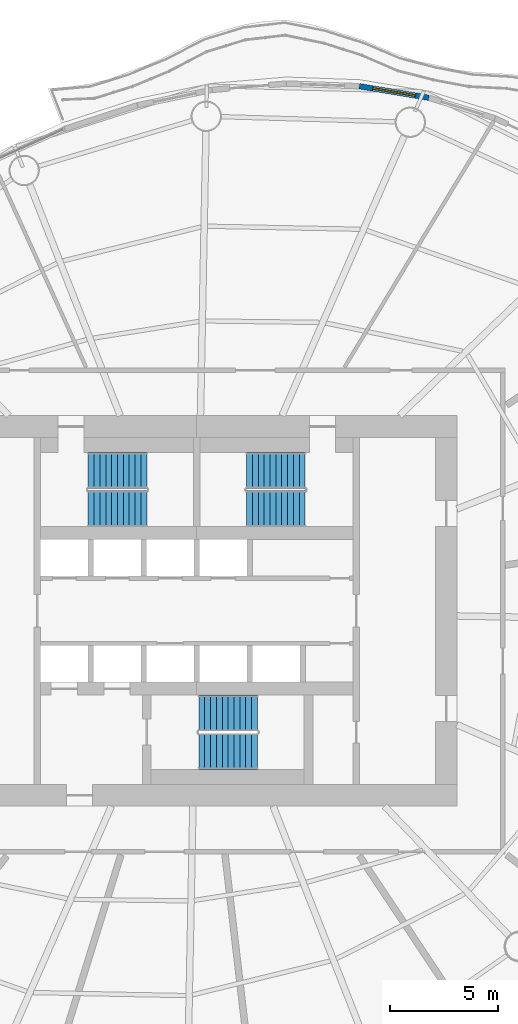
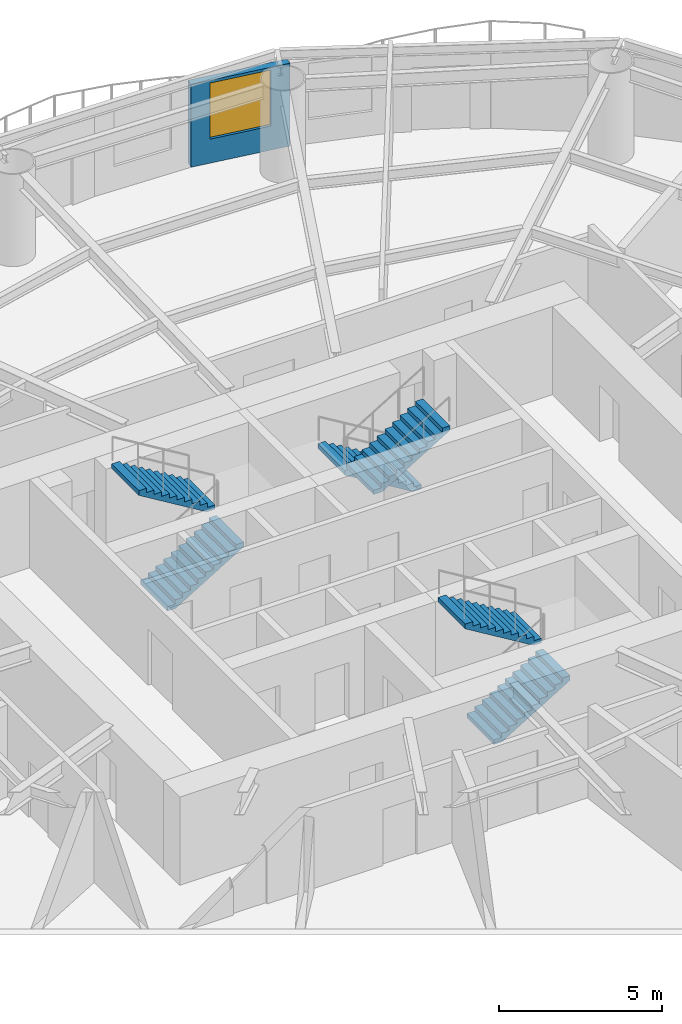
# One storey, part 11 of 15: 6 stair flights, 1 wall, 1 window, 1 opening, 3 elements without a shape of their own.
"""IFC4 building model written with IfcOpenShell, lengths in metres."""

from ifc_helpers import new_model, si_unit, direction, frame, frame_2d, origin, place, context, subcontext, project, spatial, polyline, rectangle, outline, extrude, material, layer, layer_set, type_object, element, fill, aggregate, save


model = new_model("IFC4")

# Units and contexts
model_context = context("Model", 3, precision=1e-05, world=origin(), true_north=direction((0.0, 1.0)))
body_context = subcontext(model_context, "Body", "Model", "MODEL_VIEW")
ifc_project = project(units=[si_unit("LENGTHUNIT", "METRE"), si_unit("AREAUNIT", "SQUARE_METRE"), si_unit("VOLUMEUNIT", "CUBIC_METRE"), si_unit("PLANEANGLEUNIT", "RADIAN"), si_unit("MASSUNIT", "GRAM", prefix="KILO")], contexts=[model_context])

# Site, building, storey
site_placement = place(None, origin())
site = spatial("IfcSite", under=ifc_project, at=site_placement, CompositionType="ELEMENT")
building_placement = place(site_placement, origin())
building = spatial("IfcBuilding", under=site, at=building_placement, Name="Vermilion Reach Broadcast Tower", CompositionType="ELEMENT")
storey_placement = place(building_placement, frame((0.0, 0.0, 168.60009765625)))
storey = spatial("IfcBuildingStorey", under=building, at=storey_placement, Name="L40", CompositionType="ELEMENT", Elevation=168.60009765625)

# Wall, opening, window
ifc_material_1 = material(Name="Terracotta rainscreen cladding", Category="masonry")
ifc_layer = layer(ifc_material_1, 0.25)
ifc_layer_set = layer_set([ifc_layer], Name="Terracotta rainscreen wall 250")
wall_type = type_object("IfcWallType", Name="Terracotta rainscreen wall 250", PredefinedType="SOLIDWALL", material=ifc_layer_set)
wall_placement = place(storey_placement, frame((4.697265625, 23.649658203125, 0.0), z_axis=(0.0, 0.0, 1.0), x_axis=(-0.986414264197, 0.164276898525, 0.0)))
wall = element("IfcWall", 1, at=wall_placement, inside=storey, type_object=wall_type, Name="External wall L40 05", PredefinedType="SOLIDWALL", context=body_context, shape_type="SweptSolid", body=[
    extrude(rectangle(XDim=3.24267578125, YDim=0.25, at=frame_2d((1.621337890625, 0.0))), origin(), (0.0, 0.0, 1.0), 3.099853515625),
])
opening_placement = place(wall_placement, frame((0.621337890625, 0.0, 0.89990234375)))
opening = element("IfcOpeningElement", 2, at=opening_placement, cuts=wall, Name="Opening W03", PredefinedType="OPENING", context=body_context, shape_type="SweptSolid", body=[
    extrude(rectangle(XDim=2.0, YDim=2.10009765625, at=frame_2d((1.0, 1.050048828125))), frame((0.0, 0.135009765625, 0.0), z_axis=(0.0, -1.0, 0.0), x_axis=(1.0, 0.0, 0.0)), (0.0, 0.0, 1.0), 0.27001953125),
])
ifc_material_2 = material(Name="Low-e laminated clear glass in aluminium frame", Category="aluminium")
window_type = type_object("IfcWindowType", Name="Punched window 2000 x 2100 sill 900", PartitioningType="SINGLE_PANEL", PredefinedType="WINDOW", material=ifc_material_2)
window_placement = place(opening_placement, origin())
window = element("IfcWindow", 3, at=window_placement, inside=storey, type_object=window_type, Name="Window L40 05", OverallHeight=2.10009765625, OverallWidth=2.0, PartitioningType="SINGLE_PANEL", PredefinedType="WINDOW", context=body_context, shape_type="SweptSolid", body=[
    extrude(rectangle(XDim=2.0, YDim=2.10009765625, at=frame_2d((1.0, 1.050048828125))), frame((0.0, 0.030029296875, 0.0), z_axis=(0.0, -1.0, 0.0), x_axis=(1.0, 0.0, 0.0)), (0.0, 0.0, 1.0), 0.06005859375),
])
fill(opening, window)

# Stair, stair flights
ifc_material_3 = material(Name="Concrete C40", Category="concrete")
stair_type = type_object("IfcStairType", Name="Exit stair RC 22 risers 164 mm", PredefinedType="HALF_TURN_STAIR", material=ifc_material_3)
placement = place(storey_placement, origin())
stair_1 = element("IfcStair", 4, at=placement, inside=storey, type_object=stair_type, Name="L40 Exit stair ST1", PredefinedType="HALF_TURN_STAIR")
ifc_material_4 = material(Name="Concrete C40", Category="concrete")
stair_flight_type = type_object("IfcStairFlightType", Name="Exit stair flight RC 11 risers", PredefinedType="STRAIGHT", material=ifc_material_4)
stair_flight_1_placement = place(storey_placement, frame((-11.0, 4.7099609375, 0.0), z_axis=(0.0, 0.0, 1.0), x_axis=(1.0, 0.0, 0.0)))
stair_flight_1 = element("IfcStairFlight", 5, at=stair_flight_1_placement, type_object=stair_flight_type, Name="ST1 flight 1", NumberOfRisers=11, NumberOfTreads=10, PredefinedType="STRAIGHT", RiserHeight=0.163636364, TreadLength=0.27, context=body_context, shape_type="SweptSolid", body=[
    extrude(outline(polyline([(0.0, 0.0), (0.0, 0.16357421875), (0.27001953125, 0.16357421875), (0.27001953125, 0.327392578125), (0.5400390625, 0.327392578125), (0.5400390625, 0.490966796875), (0.81005859375, 0.490966796875), (0.81005859375, 0.654541015625), (1.080078125, 0.654541015625), (1.080078125, 0.818115234375), (1.35009765625, 0.818115234375), (1.35009765625, 0.98193359375), (1.6201171875, 0.98193359375), (1.6201171875, 1.1455078125), (1.889892578125, 1.1455078125), (1.889892578125, 1.30908203125), (2.159912109375, 1.30908203125), (2.159912109375, 1.47265625), (2.429931640625, 1.47265625), (2.429931640625, 1.636474609375), (2.699951171875, 1.636474609375), (2.699951171875, 1.800048828125), (2.699951171875, 1.461181640625), (0.289306640625, 0.0), (0.0, 0.0)])), frame((0.0, 0.830078125, 0.0), z_axis=(0.0, -1.0, 0.0), x_axis=(1.0, 0.0, 0.0)), (0.0, 0.0, 1.0), 1.659912109375),
])
stair_flight_2_placement = place(storey_placement, frame((-8.300048828125, 6.469970703125, 1.7998046875), z_axis=(0.0, 0.0, 1.0), x_axis=(-1.0, 0.0, 0.0)))
stair_flight_2 = element("IfcStairFlight", 6, at=stair_flight_2_placement, type_object=stair_flight_type, Name="ST1 flight 2", NumberOfRisers=11, NumberOfTreads=10, PredefinedType="STRAIGHT", RiserHeight=0.163636364, TreadLength=0.27, context=body_context, shape_type="SweptSolid", body=[
    extrude(outline(polyline([(0.0, 0.0), (0.0, 0.16357421875), (0.27001953125, 0.16357421875), (0.27001953125, 0.327392578125), (0.5400390625, 0.327392578125), (0.5400390625, 0.490966796875), (0.81005859375, 0.490966796875), (0.81005859375, 0.654541015625), (1.080078125, 0.654541015625), (1.080078125, 0.818115234375), (1.35009765625, 0.818115234375), (1.35009765625, 0.98193359375), (1.6201171875, 0.98193359375), (1.6201171875, 1.1455078125), (1.889892578125, 1.1455078125), (1.889892578125, 1.30908203125), (2.159912109375, 1.30908203125), (2.159912109375, 1.47265625), (2.429931640625, 1.47265625), (2.429931640625, 1.636474609375), (2.699951171875, 1.636474609375), (2.699951171875, 1.800048828125), (2.699951171875, 1.461181640625), (0.289306640625, 0.0), (0.0, 0.0)])), frame((0.0, 0.830078125, 0.0), z_axis=(0.0, -1.0, 0.0), x_axis=(1.0, 0.0, 0.0)), (0.0, 0.0, 1.0), 1.659912109375),
])
aggregate(stair_1, [stair_flight_1, stair_flight_2])

stair_2 = element("IfcStair", 7, at=placement, inside=storey, type_object=stair_type, Name="L40 Exit stair ST2", PredefinedType="HALF_TURN_STAIR")
stair_flight_3_placement = place(storey_placement, frame((-1.0, 6.469970703125, 0.0), z_axis=(0.0, 0.0, 1.0), x_axis=(-1.0, 0.0, 0.0)))
stair_flight_3 = element("IfcStairFlight", 8, at=stair_flight_3_placement, type_object=stair_flight_type, Name="ST2 flight 1", NumberOfRisers=11, NumberOfTreads=10, PredefinedType="STRAIGHT", RiserHeight=0.163636364, TreadLength=0.27, context=body_context, shape_type="SweptSolid", body=[
    extrude(outline(polyline([(0.0, 0.0), (0.0, 0.16357421875), (0.27001953125, 0.16357421875), (0.27001953125, 0.327392578125), (0.5400390625, 0.327392578125), (0.5400390625, 0.490966796875), (0.81005859375, 0.490966796875), (0.81005859375, 0.654541015625), (1.080078125, 0.654541015625), (1.080078125, 0.818115234375), (1.35009765625, 0.818115234375), (1.35009765625, 0.98193359375), (1.6201171875, 0.98193359375), (1.6201171875, 1.1455078125), (1.889892578125, 1.1455078125), (1.889892578125, 1.30908203125), (2.159912109375, 1.30908203125), (2.159912109375, 1.47265625), (2.429931640625, 1.47265625), (2.429931640625, 1.636474609375), (2.699951171875, 1.636474609375), (2.699951171875, 1.800048828125), (2.699951171875, 1.461181640625), (0.289306640625, 0.0), (0.0, 0.0)])), frame((0.0, 0.830078125, 0.0), z_axis=(0.0, -1.0, 0.0), x_axis=(1.0, 0.0, 0.0)), (0.0, 0.0, 1.0), 1.659912109375),
])
stair_flight_4_placement = place(storey_placement, frame((-3.699951171875, 4.7099609375, 1.7998046875), z_axis=(0.0, 0.0, 1.0), x_axis=(1.0, 0.0, 0.0)))
stair_flight_4 = element("IfcStairFlight", 9, at=stair_flight_4_placement, type_object=stair_flight_type, Name="ST2 flight 2", NumberOfRisers=11, NumberOfTreads=10, PredefinedType="STRAIGHT", RiserHeight=0.163636364, TreadLength=0.27, context=body_context, shape_type="SweptSolid", body=[
    extrude(outline(polyline([(0.0, 0.0), (0.0, 0.16357421875), (0.27001953125, 0.16357421875), (0.27001953125, 0.327392578125), (0.5400390625, 0.327392578125), (0.5400390625, 0.490966796875), (0.81005859375, 0.490966796875), (0.81005859375, 0.654541015625), (1.080078125, 0.654541015625), (1.080078125, 0.818115234375), (1.35009765625, 0.818115234375), (1.35009765625, 0.98193359375), (1.6201171875, 0.98193359375), (1.6201171875, 1.1455078125), (1.889892578125, 1.1455078125), (1.889892578125, 1.30908203125), (2.159912109375, 1.30908203125), (2.159912109375, 1.47265625), (2.429931640625, 1.47265625), (2.429931640625, 1.636474609375), (2.699951171875, 1.636474609375), (2.699951171875, 1.800048828125), (2.699951171875, 1.461181640625), (0.289306640625, 0.0), (0.0, 0.0)])), frame((0.0, 0.830078125, 0.0), z_axis=(0.0, -1.0, 0.0), x_axis=(1.0, 0.0, 0.0)), (0.0, 0.0, 1.0), 1.659912109375),
])
aggregate(stair_2, [stair_flight_3, stair_flight_4])

stair_3 = element("IfcStair", 10, at=placement, inside=storey, type_object=stair_type, Name="L40 Exit stair ST3", PredefinedType="HALF_TURN_STAIR")
stair_flight_5_placement = place(storey_placement, frame((-5.89990234375, -6.469970703125, 0.0), z_axis=(0.0, 0.0, 1.0), x_axis=(1.0, 0.0, 0.0)))
stair_flight_5 = element("IfcStairFlight", 11, at=stair_flight_5_placement, type_object=stair_flight_type, Name="ST3 flight 1", NumberOfRisers=11, NumberOfTreads=10, PredefinedType="STRAIGHT", RiserHeight=0.163636364, TreadLength=0.27, context=body_context, shape_type="SweptSolid", body=[
    extrude(outline(polyline([(0.0, 0.0), (0.0, 0.16357421875), (0.27001953125, 0.16357421875), (0.27001953125, 0.327392578125), (0.5400390625, 0.327392578125), (0.5400390625, 0.490966796875), (0.81005859375, 0.490966796875), (0.81005859375, 0.654541015625), (1.080078125, 0.654541015625), (1.080078125, 0.818115234375), (1.35009765625, 0.818115234375), (1.35009765625, 0.98193359375), (1.6201171875, 0.98193359375), (1.6201171875, 1.1455078125), (1.889892578125, 1.1455078125), (1.889892578125, 1.30908203125), (2.159912109375, 1.30908203125), (2.159912109375, 1.47265625), (2.429931640625, 1.47265625), (2.429931640625, 1.636474609375), (2.699951171875, 1.636474609375), (2.699951171875, 1.800048828125), (2.699951171875, 1.461181640625), (0.289306640625, 0.0), (0.0, 0.0)])), frame((0.0, 0.830078125, 0.0), z_axis=(0.0, -1.0, 0.0), x_axis=(1.0, 0.0, 0.0)), (0.0, 0.0, 1.0), 1.659912109375),
])
stair_flight_6_placement = place(storey_placement, frame((-3.199951171875, -4.7099609375, 1.7998046875), z_axis=(0.0, 0.0, 1.0), x_axis=(-1.0, 0.0, 0.0)))
stair_flight_6 = element("IfcStairFlight", 12, at=stair_flight_6_placement, type_object=stair_flight_type, Name="ST3 flight 2", NumberOfRisers=11, NumberOfTreads=10, PredefinedType="STRAIGHT", RiserHeight=0.163636364, TreadLength=0.27, context=body_context, shape_type="SweptSolid", body=[
    extrude(outline(polyline([(0.0, 0.0), (0.0, 0.16357421875), (0.27001953125, 0.16357421875), (0.27001953125, 0.327392578125), (0.5400390625, 0.327392578125), (0.5400390625, 0.490966796875), (0.81005859375, 0.490966796875), (0.81005859375, 0.654541015625), (1.080078125, 0.654541015625), (1.080078125, 0.818115234375), (1.35009765625, 0.818115234375), (1.35009765625, 0.98193359375), (1.6201171875, 0.98193359375), (1.6201171875, 1.1455078125), (1.889892578125, 1.1455078125), (1.889892578125, 1.30908203125), (2.159912109375, 1.30908203125), (2.159912109375, 1.47265625), (2.429931640625, 1.47265625), (2.429931640625, 1.636474609375), (2.699951171875, 1.636474609375), (2.699951171875, 1.800048828125), (2.699951171875, 1.461181640625), (0.289306640625, 0.0), (0.0, 0.0)])), frame((0.0, 0.830078125, 0.0), z_axis=(0.0, -1.0, 0.0), x_axis=(1.0, 0.0, 0.0)), (0.0, 0.0, 1.0), 1.659912109375),
])
aggregate(stair_3, [stair_flight_5, stair_flight_6])

save(model, "model.ifc")
